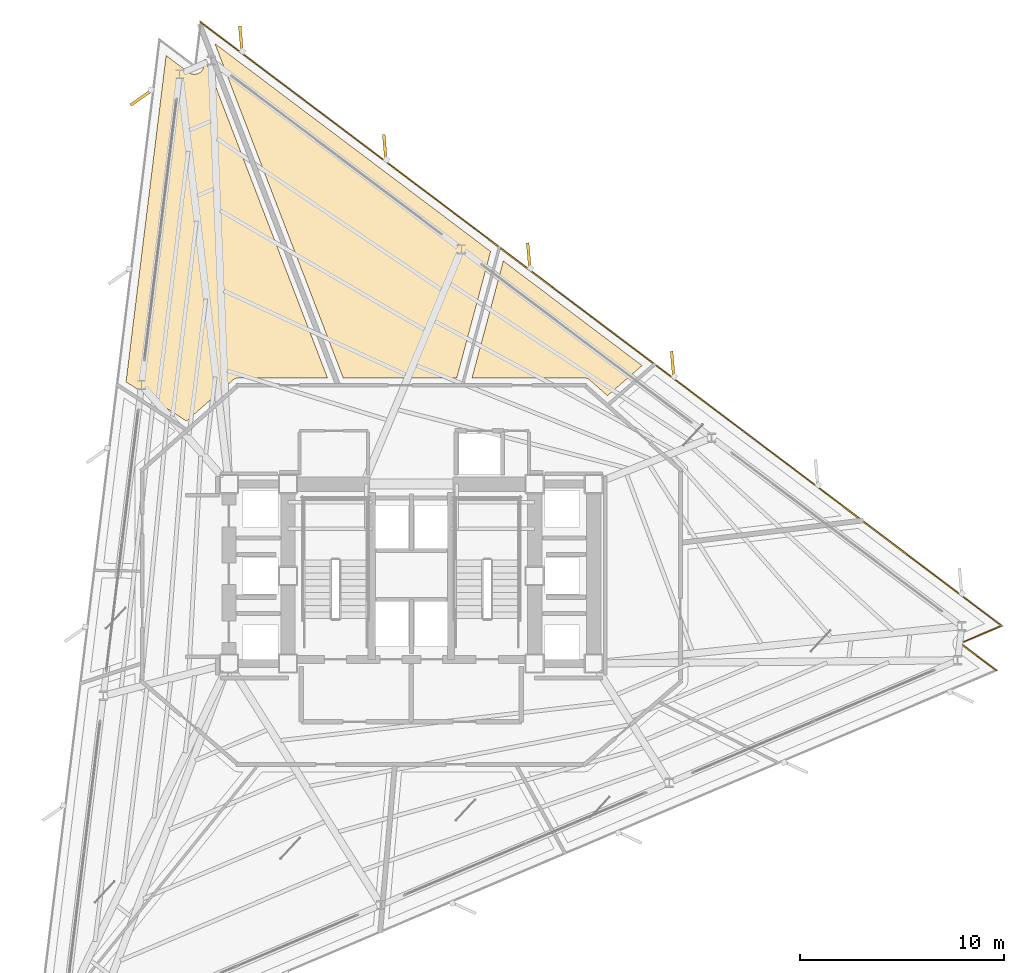
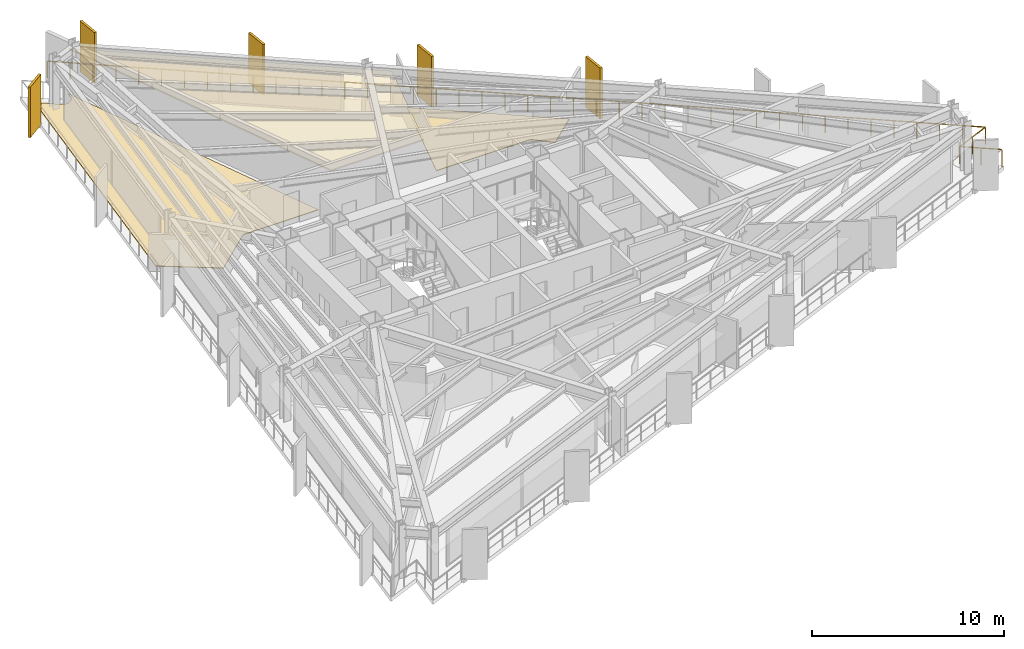
# One storey, part 13 of 13: 5 shading devices, 3 coverings, 1 railing.
"""IFC4 building model written with IfcOpenShell, lengths in metres."""

from ifc_helpers import new_model, si_unit, direction, frame, origin, origin_2d, place, context, subcontext, project, spatial, polyline, rectangle, outline, extrude, material, layer, layer_set, type_object, element, save


model = new_model("IFC4")

# Units and contexts
model_context = context("Model", 3, precision=1e-05, world=origin(), true_north=direction((0.0, 1.0)))
body_context = subcontext(model_context, "Body", "Model", "MODEL_VIEW")
ifc_project = project(units=[si_unit("LENGTHUNIT", "METRE"), si_unit("AREAUNIT", "SQUARE_METRE"), si_unit("VOLUMEUNIT", "CUBIC_METRE"), si_unit("PLANEANGLEUNIT", "RADIAN"), si_unit("MASSUNIT", "GRAM", prefix="KILO")], contexts=[model_context])

# Site, building, storey
site_placement = place(None, origin())
site = spatial("IfcSite", under=ifc_project, at=site_placement, CompositionType="ELEMENT")
building_placement = place(site_placement, origin())
building = spatial("IfcBuilding", under=site, at=building_placement, Name="Rocaltana Carrier Exchange", CompositionType="ELEMENT")
storey_placement = place(building_placement, frame((0.0, 0.0, 63.0400390625)))
storey = spatial("IfcBuildingStorey", under=building, at=storey_placement, Name="L19", CompositionType="ELEMENT", Elevation=63.0400390625)

# Coverings
ifc_material_1 = material(Name="Honed Bogota Sandstone Tile", Category="masonry")
ifc_layer_1 = layer(ifc_material_1, 0.0400390625)
ifc_layer_set_1 = layer_set([ifc_layer_1], Name="Honed Bogota Sandstone Tile")
covering_type_1 = type_object("IfcCoveringType", Name="Honed Stone Lobby Flooring 40", PredefinedType="FLOORING", material=ifc_layer_set_1)
covering_1_placement = place(storey_placement, origin())
element("IfcCovering", 1, at=covering_1_placement, inside=storey, type_object=covering_type_1, Name="L19 Quiet Focus Lounge Finish Floor", PredefinedType="FLOORING", context=body_context, shape_type="SweptSolid", body=[
    extrude(outline(polyline([(11.31884765625, 10.31640625), (9.62109375, 8.84033203125), (8.73828125, 9.619873046875), (8.727294921875, 9.629150390625), (8.720703125, 9.63427734375), (8.697265625, 9.651123046875), (8.690185546875, 9.655517578125), (8.6650390625, 9.669921875), (8.65771484375, 9.673583984375), (8.631103515625, 9.68505859375), (8.62353515625, 9.68798828125), (8.595947265625, 9.697021484375), (8.587890625, 9.698974609375), (8.5595703125, 9.704833984375), (8.551513671875, 9.706298828125), (8.522705078125, 9.709228515625), (8.514404296875, 9.709716796875), (8.5, 9.7099609375), (2.974609375, 9.7099609375), (4.511474609375, 15.44580078125), (11.31884765625, 10.31640625)])), origin(), (0.0, 0.0, 1.0), 0.0400390625),
])
covering_2_placement = place(storey_placement, origin())
element("IfcCovering", 2, at=covering_2_placement, inside=storey, type_object=covering_type_1, Name="L19 Client Reception Foyer Finish Floor", PredefinedType="FLOORING", context=body_context, shape_type="SweptSolid", body=[
    extrude(outline(polyline([(-12.02978515625, 25.52490234375), (-10.936767578125, 24.701416015625), (-10.92529296875, 24.693115234375), (-10.90869140625, 24.681884765625), (-10.885009765625, 24.66748046875), (-10.867431640625, 24.657958984375), (-10.84228515625, 24.64599609375), (-10.823974609375, 24.63818359375), (-10.797607421875, 24.628662109375), (-10.778564453125, 24.622802734375), (-10.75146484375, 24.6162109375), (-10.73193359375, 24.6123046875), (-10.704345703125, 24.608154296875), (-10.6845703125, 24.606201171875), (-10.656494140625, 24.604736328125), (-10.63671875, 24.60498046875), (-10.60888671875, 24.606201171875), (-10.5888671875, 24.6083984375), (-10.561279296875, 24.612548828125), (-10.541748046875, 24.61669921875), (-10.514892578125, 24.62353515625), (-10.49560546875, 24.62939453125), (-10.469482421875, 24.63916015625), (-10.451171875, 24.64697265625), (-10.426025390625, 24.6591796875), (-10.40869140625, 24.668701171875), (-10.384765625, 24.683349609375), (-10.368408203125, 24.694580078125), (-10.34619140625, 24.71142578125), (-10.330810546875, 24.724365234375), (-10.310546875, 24.743408203125), (-10.296630859375, 24.757568359375), (-10.2783203125, 24.778564453125), (-10.265869140625, 24.794189453125), (-10.24951171875, 24.81689453125), (-10.23876953125, 24.833740234375), (-10.224853515625, 24.85791015625), (-10.2158203125, 24.875732421875), (-10.204345703125, 24.901123046875), (-10.197265625, 24.919677734375), (-10.188232421875, 24.9462890625), (-10.18310546875, 24.96533203125), (-10.1767578125, 24.99267578125), (-10.17333984375, 25.01220703125), (-10.17138671875, 25.026123046875), (-10.1279296875, 25.379638671875), (-4.11279296875, 9.7099609375), (-8.5, 9.7099609375), (-8.514404296875, 9.709716796875), (-8.522705078125, 9.709228515625), (-8.551513671875, 9.706298828125), (-8.5595703125, 9.704833984375), (-8.587890625, 9.698974609375), (-8.595947265625, 9.697021484375), (-8.62353515625, 9.68798828125), (-8.631103515625, 9.68505859375), (-8.65771484375, 9.673583984375), (-8.6650390625, 9.669921875), (-8.690185546875, 9.655517578125), (-8.697265625, 9.651123046875), (-8.720703125, 9.63427734375), (-8.727294921875, 9.629150390625), (-8.73828125, 9.619873046875), (-11.03271484375, 7.593994140625), (-13.9951171875, 9.517822265625), (-12.02978515625, 25.52490234375)])), origin(), (0.0, 0.0, 1.0), 0.0400390625),
])
ifc_material_2 = material(Name="Anodised Aluminium 6063-T6", Category="aluminium")
ifc_layer_2 = layer(ifc_material_2, 0.0849609375)
ifc_layer_set_2 = layer_set([ifc_layer_2], Name="Anodised Aluminium 6063-T6")
covering_type_2 = type_object("IfcCoveringType", Name="Linear Baffle Acoustic Ceiling 85", PredefinedType="CEILING", material=ifc_layer_set_2)
covering_3_placement = place(storey_placement, frame((0.0, 0.0, 2.202880859375)))
element("IfcCovering", 3, at=covering_3_placement, inside=storey, type_object=covering_type_2, Name="L19 Carrier Peering Suite Acoustic Ceiling", PredefinedType="CEILING", context=body_context, shape_type="SweptSolid", body=[
    extrude(outline(polyline([(-9.6357421875, 26.106689453125), (3.89111328125, 15.913330078125), (2.22900390625, 9.7099609375), (-3.341796875, 9.7099609375), (-9.6357421875, 26.106689453125)])), origin(), (0.0, 0.0, 1.0), 0.0849609375),
])

# Shading devices
ifc_material_3 = material(Name="Honed Bogota Sandstone & Concrete C45/55", Category="masonry")
ifc_layer_3 = layer(ifc_material_3, 0.139892578125)
ifc_layer_set_3 = layer_set([ifc_layer_3], Name="Honed Bogota Sandstone & Concrete C45/55")
shading_device_type = type_object("IfcShadingDeviceType", Name="Vertical Sandstone Shading Fin 1320x140", PredefinedType="USERDEFINED", material=ifc_layer_set_3)
for number, where, z_axis, x_axis, name in (
    (4, (12.822509765625, 10.361083984375, -0.1201171875), (0.0, 0.0, 1.0), (-0.087155742748, 0.996194698092, 0.0), "L19 Sandstone Vertical Fin F1-03"),
    (5, (5.7626953125, 15.680908203125, -0.1201171875), (0.0, 0.0, 1.0), (-0.087155742748, 0.996194698092, 0.0), "L19 Sandstone Vertical Fin F1-04"),
    (6, (-1.29736328125, 21.001220703125, -0.1201171875), (0.0, 0.0, 1.0), (-0.087155742748, 0.996194698092, 0.0), "L19 Sandstone Vertical Fin F1-05"),
    (7, (-8.357421875, 26.321044921875, -0.1201171875), (0.0, 0.0, 1.0), (-0.087155742748, 0.996194698092, 0.0), "L19 Sandstone Vertical Fin F1-06"),
    (8, (-13.2294921875, 23.472412109375, -0.1201171875), (0.0, 0.0, 1.0), (-0.819152044289, -0.573576436351, 0.0), "L19 Sandstone Vertical Fin F2-01"),
):
    element("IfcShadingDevice", number, at=place(storey_placement, frame(where, z_axis=z_axis, x_axis=x_axis)), inside=storey, type_object=shading_device_type, Name=name, ObjectType="FIN", PredefinedType="USERDEFINED", context=body_context, shape_type="SweptSolid", body=[
        extrude(rectangle(XDim=1.320068359375, YDim=0.139892578125, at=origin_2d()), origin(), (0.0, 0.0, 1.0), 3.218017578125),
    ])

# Railing
ifc_material_4 = material(Name="Powder-Coated Aluminium 6063-T6", Category="aluminium")
ifc_layer_4 = layer(ifc_material_4, 0.06005859375)
ifc_layer_set_4 = layer_set([ifc_layer_4], Name="Powder-Coated Aluminium 6063-T6")
railing_type = type_object("IfcRailingType", Name="Wind-Floor & Terrace Perimeter Guardrail 1100", PredefinedType="GUARDRAIL", material=ifc_layer_set_4)
railing_placement = place(storey_placement, frame((-10.332763671875, 27.15771484375, 0.0)))
element("IfcRailing", 9, at=railing_placement, inside=storey, type_object=railing_type, Name="L19 Perimeter Balcony Guardrail 3", PredefinedType="GUARDRAIL", context=body_context, shape_type="SweptSolid", body=[
    extrude(rectangle(XDim=0.048095703125, YDim=0.048095703125, at=origin_2d()), frame((0.0, 0.0, 1.076171875), z_axis=(0.798636489562, -0.60181372329, 0.0), x_axis=(0.60181372329, 0.798636489562, 0.0)), (0.0, 0.0, 1.0), 49.192138671875),
    extrude(rectangle(XDim=0.048095703125, YDim=0.048095703125, at=origin_2d()), frame((39.28662109375, -29.6044921875, 1.076171875), z_axis=(-0.92050559585, -0.390729379504, 0.0), x_axis=(0.390729379504, -0.92050559585, 0.0)), (0.0, 0.0, 1.0), 2.199951171875),
    extrude(rectangle(XDim=0.048095703125, YDim=0.048095703125, at=origin_2d()), frame((37.261474609375, -30.464111328125, 1.076171875), z_axis=(0.798653030423, -0.601791772125, 0.0), x_axis=(0.601791772125, 0.798653030423, 0.0)), (0.0, 0.0, 1.0), 2.199951171875),
    extrude(rectangle(XDim=0.0419921875, YDim=0.0419921875, at=origin_2d()), origin(), (0.0, 0.0, 1.0), 1.052001953125),
    extrude(rectangle(XDim=0.0419921875, YDim=0.0419921875, at=origin_2d()), frame((0.958251953125, -0.72216796875, 0.0)), (0.0, 0.0, 1.0), 1.052001953125),
    extrude(rectangle(XDim=0.0419921875, YDim=0.0419921875, at=origin_2d()), frame((1.91650390625, -1.444091796875, 0.0)), (0.0, 0.0, 1.0), 1.052001953125),
    extrude(rectangle(XDim=0.0419921875, YDim=0.0419921875, at=origin_2d()), frame((2.87451171875, -2.166259765625, 0.0)), (0.0, 0.0, 1.0), 1.052001953125),
    extrude(rectangle(XDim=0.0419921875, YDim=0.0419921875, at=origin_2d()), frame((3.832763671875, -2.88818359375, 0.0)), (0.0, 0.0, 1.0), 1.052001953125),
    extrude(rectangle(XDim=0.0419921875, YDim=0.0419921875, at=origin_2d()), frame((4.791015625, -3.6103515625, 0.0)), (0.0, 0.0, 1.0), 1.052001953125),
    extrude(rectangle(XDim=0.0419921875, YDim=0.0419921875, at=origin_2d()), frame((5.749267578125, -4.332275390625, 0.0)), (0.0, 0.0, 1.0), 1.052001953125),
    extrude(rectangle(XDim=0.0419921875, YDim=0.0419921875, at=origin_2d()), frame((6.70751953125, -5.054443359375, 0.0)), (0.0, 0.0, 1.0), 1.052001953125),
    extrude(rectangle(XDim=0.0419921875, YDim=0.0419921875, at=origin_2d()), frame((7.665771484375, -5.7763671875, 0.0)), (0.0, 0.0, 1.0), 1.052001953125),
    extrude(rectangle(XDim=0.0419921875, YDim=0.0419921875, at=origin_2d()), frame((8.623779296875, -6.49853515625, 0.0)), (0.0, 0.0, 1.0), 1.052001953125),
    extrude(rectangle(XDim=0.0419921875, YDim=0.0419921875, at=origin_2d()), frame((9.58203125, -7.220703125, 0.0)), (0.0, 0.0, 1.0), 1.052001953125),
    extrude(rectangle(XDim=0.0419921875, YDim=0.0419921875, at=origin_2d()), frame((10.540283203125, -7.942626953125, 0.0)), (0.0, 0.0, 1.0), 1.052001953125),
    extrude(rectangle(XDim=0.0419921875, YDim=0.0419921875, at=origin_2d()), frame((11.49853515625, -8.664794921875, 0.0)), (0.0, 0.0, 1.0), 1.052001953125),
    extrude(rectangle(XDim=0.0419921875, YDim=0.0419921875, at=origin_2d()), frame((12.456787109375, -9.38671875, 0.0)), (0.0, 0.0, 1.0), 1.052001953125),
    extrude(rectangle(XDim=0.0419921875, YDim=0.0419921875, at=origin_2d()), frame((13.4150390625, -10.10888671875, 0.0)), (0.0, 0.0, 1.0), 1.052001953125),
    extrude(rectangle(XDim=0.0419921875, YDim=0.0419921875, at=origin_2d()), frame((14.373046875, -10.830810546875, 0.0)), (0.0, 0.0, 1.0), 1.052001953125),
    extrude(rectangle(XDim=0.0419921875, YDim=0.0419921875, at=origin_2d()), frame((15.331298828125, -11.552978515625, 0.0)), (0.0, 0.0, 1.0), 1.052001953125),
    extrude(rectangle(XDim=0.0419921875, YDim=0.0419921875, at=origin_2d()), frame((16.28955078125, -12.275146484375, 0.0)), (0.0, 0.0, 1.0), 1.052001953125),
    extrude(rectangle(XDim=0.0419921875, YDim=0.0419921875, at=origin_2d()), frame((17.247802734375, -12.9970703125, 0.0)), (0.0, 0.0, 1.0), 1.052001953125),
    extrude(rectangle(XDim=0.0419921875, YDim=0.0419921875, at=origin_2d()), frame((18.2060546875, -13.71923828125, 0.0)), (0.0, 0.0, 1.0), 1.052001953125),
    extrude(rectangle(XDim=0.0419921875, YDim=0.0419921875, at=origin_2d()), frame((19.164306640625, -14.441162109375, 0.0)), (0.0, 0.0, 1.0), 1.052001953125),
    extrude(rectangle(XDim=0.0419921875, YDim=0.0419921875, at=origin_2d()), frame((20.122314453125, -15.163330078125, 0.0)), (0.0, 0.0, 1.0), 1.052001953125),
    extrude(rectangle(XDim=0.0419921875, YDim=0.0419921875, at=origin_2d()), frame((21.08056640625, -15.88525390625, 0.0)), (0.0, 0.0, 1.0), 1.052001953125),
    extrude(rectangle(XDim=0.0419921875, YDim=0.0419921875, at=origin_2d()), frame((22.038818359375, -16.607421875, 0.0)), (0.0, 0.0, 1.0), 1.052001953125),
    extrude(rectangle(XDim=0.0419921875, YDim=0.0419921875, at=origin_2d()), frame((22.9970703125, -17.329345703125, 0.0)), (0.0, 0.0, 1.0), 1.052001953125),
    extrude(rectangle(XDim=0.0419921875, YDim=0.0419921875, at=origin_2d()), frame((23.955322265625, -18.051513671875, 0.0)), (0.0, 0.0, 1.0), 1.052001953125),
    extrude(rectangle(XDim=0.0419921875, YDim=0.0419921875, at=origin_2d()), frame((24.91357421875, -18.773681640625, 0.0)), (0.0, 0.0, 1.0), 1.052001953125),
    extrude(rectangle(XDim=0.0419921875, YDim=0.0419921875, at=origin_2d()), frame((25.87158203125, -19.49560546875, 0.0)), (0.0, 0.0, 1.0), 1.052001953125),
    extrude(rectangle(XDim=0.0419921875, YDim=0.0419921875, at=origin_2d()), frame((26.829833984375, -20.2177734375, 0.0)), (0.0, 0.0, 1.0), 1.052001953125),
    extrude(rectangle(XDim=0.0419921875, YDim=0.0419921875, at=origin_2d()), frame((27.7880859375, -20.939697265625, 0.0)), (0.0, 0.0, 1.0), 1.052001953125),
    extrude(rectangle(XDim=0.0419921875, YDim=0.0419921875, at=origin_2d()), frame((28.746337890625, -21.661865234375, 0.0)), (0.0, 0.0, 1.0), 1.052001953125),
    extrude(rectangle(XDim=0.0419921875, YDim=0.0419921875, at=origin_2d()), frame((29.70458984375, -22.3837890625, 0.0)), (0.0, 0.0, 1.0), 1.052001953125),
    extrude(rectangle(XDim=0.0419921875, YDim=0.0419921875, at=origin_2d()), frame((30.662841796875, -23.10595703125, 0.0)), (0.0, 0.0, 1.0), 1.052001953125),
    extrude(rectangle(XDim=0.0419921875, YDim=0.0419921875, at=origin_2d()), frame((31.620849609375, -23.828125, 0.0)), (0.0, 0.0, 1.0), 1.052001953125),
    extrude(rectangle(XDim=0.0419921875, YDim=0.0419921875, at=origin_2d()), frame((32.5791015625, -24.550048828125, 0.0)), (0.0, 0.0, 1.0), 1.052001953125),
    extrude(rectangle(XDim=0.0419921875, YDim=0.0419921875, at=origin_2d()), frame((33.537353515625, -25.272216796875, 0.0)), (0.0, 0.0, 1.0), 1.052001953125),
    extrude(rectangle(XDim=0.0419921875, YDim=0.0419921875, at=origin_2d()), frame((34.49560546875, -25.994140625, 0.0)), (0.0, 0.0, 1.0), 1.052001953125),
    extrude(rectangle(XDim=0.0419921875, YDim=0.0419921875, at=origin_2d()), frame((35.453857421875, -26.71630859375, 0.0)), (0.0, 0.0, 1.0), 1.052001953125),
    extrude(rectangle(XDim=0.0419921875, YDim=0.0419921875, at=origin_2d()), frame((36.412109375, -27.438232421875, 0.0)), (0.0, 0.0, 1.0), 1.052001953125),
    extrude(rectangle(XDim=0.0419921875, YDim=0.0419921875, at=origin_2d()), frame((37.3701171875, -28.160400390625, 0.0)), (0.0, 0.0, 1.0), 1.052001953125),
    extrude(rectangle(XDim=0.0419921875, YDim=0.0419921875, at=origin_2d()), frame((38.328369140625, -28.88232421875, 0.0)), (0.0, 0.0, 1.0), 1.052001953125),
    extrude(rectangle(XDim=0.0419921875, YDim=0.0419921875, at=origin_2d()), frame((39.28662109375, -29.6044921875, 0.0)), (0.0, 0.0, 1.0), 1.052001953125),
    extrude(rectangle(XDim=0.0419921875, YDim=0.0419921875, at=origin_2d()), frame((38.27392578125, -30.0341796875, 0.0)), (0.0, 0.0, 1.0), 1.052001953125),
    extrude(rectangle(XDim=0.0419921875, YDim=0.0419921875, at=origin_2d()), frame((37.261474609375, -30.464111328125, 0.0)), (0.0, 0.0, 1.0), 1.052001953125),
    extrude(rectangle(XDim=0.0419921875, YDim=0.0419921875, at=origin_2d()), frame((38.14013671875, -31.1259765625, 0.0)), (0.0, 0.0, 1.0), 1.052001953125),
    extrude(rectangle(XDim=0.0419921875, YDim=0.0419921875, at=origin_2d()), frame((39.0185546875, -31.7880859375, 0.0)), (0.0, 0.0, 1.0), 1.052001953125),
])

save(model, "model.ifc")
